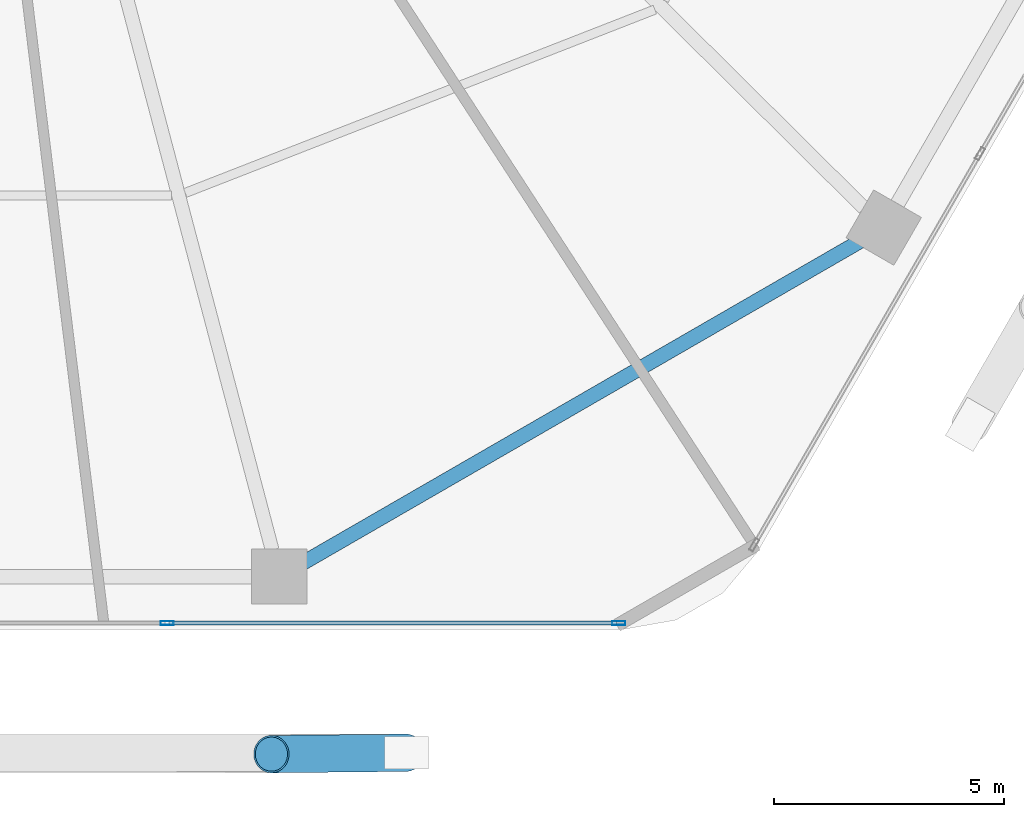
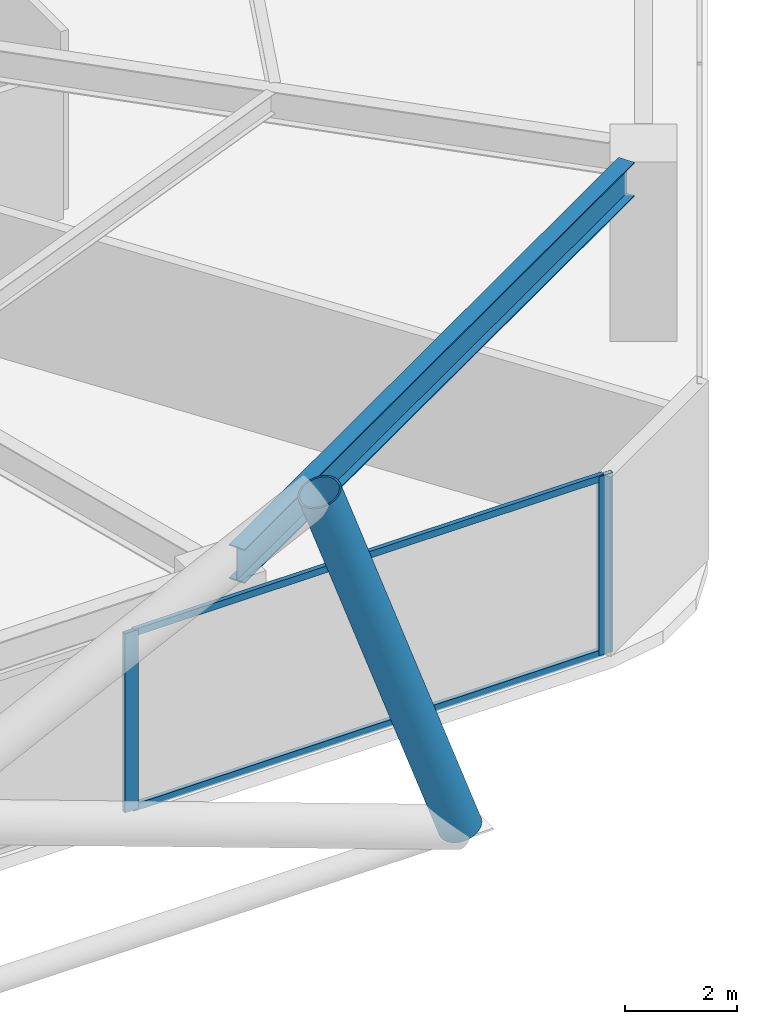
# One storey, part 7 of 28: 5 members, 1 beam, 1 element without a shape of its own.
"""IFC4 building model written with IfcOpenShell, lengths in metres."""

from ifc_helpers import new_model, si_unit, direction, frame, origin, origin_2d, place, context, subcontext, project, spatial, hollow_rectangle, hollow_circle, i_section, extrude, material, material_profile, profile_set, type_object, element, aggregate, save


model = new_model("IFC4")

# Units and contexts
model_context = context("Model", 3, precision=1e-05, world=origin(), true_north=direction((0.0, 1.0)))
body_context = subcontext(model_context, "Body", "Model", "MODEL_VIEW")
ifc_project = project(units=[si_unit("LENGTHUNIT", "METRE"), si_unit("AREAUNIT", "SQUARE_METRE"), si_unit("VOLUMEUNIT", "CUBIC_METRE"), si_unit("PLANEANGLEUNIT", "RADIAN"), si_unit("MASSUNIT", "GRAM", prefix="KILO")], contexts=[model_context])

# Site, building, storey
site_placement = place(None, origin())
site = spatial("IfcSite", under=ifc_project, at=site_placement, CompositionType="ELEMENT")
building_placement = place(site_placement, origin())
building = spatial("IfcBuilding", under=site, at=building_placement, Name="Zuhravey Tower", CompositionType="ELEMENT")
storey_placement = place(building_placement, frame((0.0, 0.0, 24.60009765625)))
storey = spatial("IfcBuildingStorey", under=building, at=storey_placement, Name="L06", CompositionType="ELEMENT", Elevation=24.60009765625)

# Curtain wall, members
ifc_material_1 = material(Name="Thermally broken anodised aluminium", Category="aluminium")
curtain_wall_type = type_object("IfcCurtainWallType", Name="School Low-E Unitised Curtain Wall CW1", PredefinedType="NOTDEFINED", material=ifc_material_1)
curtain_wall_placement = place(storey_placement, origin())
curtain_wall = element("IfcCurtainWall", 1, at=curtain_wall_placement, inside=storey, type_object=curtain_wall_type, Name="L06 CW1 CW-L06-F5-1", PredefinedType="NOTDEFINED")
ifc_material_2 = material(Name="Anodised aluminium", Category="aluminium")
ifc_material_profile_1 = material_profile(ifc_material_2, hollow_rectangle(XDim=0.090087890625, YDim=0.284912109375, WallThickness=0.0048828125, at=origin_2d()), Name="ALU-RHS-90x285x5")
ifc_profile_set_1 = profile_set([ifc_material_profile_1], Name="Anodised aluminium")
member_type_1 = type_object("IfcMemberType", Name="Curtain-Wall Mullion 90x180", PredefinedType="MULLION", material=ifc_profile_set_1)
member_1_placement = place(storey_placement, frame((50.75439453125, 3.04150390625, 0.0), z_axis=(0.0, 0.0, 1.0), x_axis=(0.0, -1.0, 0.0)))
member_1 = element("IfcMember", 2, at=member_1_placement, type_object=member_type_1, Name="CW1 mullion 1", PredefinedType="MULLION", context=body_context, shape_type="SweptSolid", body=[
    extrude(hollow_rectangle(XDim=0.090087890625, YDim=0.284912109375, WallThickness=0.0048828125, at=origin_2d()), origin(), (0.0, 0.0, 1.0), 3.919921875),
])
member_2_placement = place(storey_placement, frame((40.93310546875, 3.04150390625, 0.0), z_axis=(0.0, 0.0, 1.0), x_axis=(0.0, -1.0, 0.0)))
member_2 = element("IfcMember", 3, at=member_2_placement, type_object=member_type_1, Name="CW1 mullion 2", PredefinedType="MULLION", context=body_context, shape_type="SweptSolid", body=[
    extrude(hollow_rectangle(XDim=0.090087890625, YDim=0.284912109375, WallThickness=0.0048828125, at=origin_2d()), origin(), (0.0, 0.0, 1.0), 3.919921875),
])
ifc_material_profile_2 = material_profile(ifc_material_2, hollow_rectangle(XDim=0.090087890625, YDim=0.14990234375, WallThickness=0.0048828125, at=origin_2d()), Name="ALU-RHS-90x150x5")
ifc_profile_set_2 = profile_set([ifc_material_profile_2], Name="Anodised aluminium")
member_type_2 = type_object("IfcMemberType", Name="Curtain-Wall Transom 90x150", PredefinedType="USERDEFINED", material=ifc_profile_set_2)
member_3_placement = place(storey_placement, frame((50.70947265625, 3.04150390625, 0.044921875), z_axis=(-1.0, 0.0, 0.0), x_axis=(0.0, -1.0, 0.0)))
member_3 = element("IfcMember", 4, at=member_3_placement, type_object=member_type_2, Name="CW1 transom 1.1", ObjectType="TRANSOM", PredefinedType="USERDEFINED", context=body_context, shape_type="SweptSolid", body=[
    extrude(hollow_rectangle(XDim=0.090087890625, YDim=0.14990234375, WallThickness=0.0048828125, at=origin_2d()), origin(), (0.0, 0.0, 1.0), 9.731201171875),
])
member_4_placement = place(storey_placement, frame((50.70947265625, 3.04150390625, 3.875), z_axis=(-1.0, 0.0, 0.0), x_axis=(0.0, -1.0, 0.0)))
member_4 = element("IfcMember", 5, at=member_4_placement, type_object=member_type_2, Name="CW1 transom 1.2", ObjectType="TRANSOM", PredefinedType="USERDEFINED", context=body_context, shape_type="SweptSolid", body=[
    extrude(hollow_rectangle(XDim=0.090087890625, YDim=0.14990234375, WallThickness=0.0048828125, at=origin_2d()), origin(), (0.0, 0.0, 1.0), 9.731201171875),
])
aggregate(curtain_wall, [member_1, member_2, member_3, member_4])

# Member
ifc_material_3 = material(Name="Steel SM460", Category="steel")
ifc_material_profile_3 = material_profile(ifc_material_3, hollow_circle(Radius=0.406494140625, WallThickness=0.035888671875, at=origin_2d()), Name="CHS-812.8x36")
ifc_profile_set_3 = profile_set([ifc_material_profile_3], Name="Steel SM460")
member_type_3 = type_object("IfcMemberType", Name="Exoskeleton Zone 1 Diagrid CHS813x36", PredefinedType="BRACE", material=ifc_profile_set_3)
member_5_placement = place(storey_placement, frame((46.129150390625, 0.221435546875, -0.47216796875), z_axis=(-0.330640861788, -0.003364038457, 0.943750657622), x_axis=(0.010173770828, -0.999948245854, 0.0)))
element("IfcMember", 6, at=member_5_placement, inside=storey, type_object=member_type_3, Name="L06 Face 5 Diagrid Brace 4", PredefinedType="BRACE", context=body_context, shape_type="SweptSolid", body=[
    extrude(hollow_circle(Radius=0.406494140625, WallThickness=0.035888671875, at=origin_2d()), origin(), (0.0, 0.0, 1.0), 8.85400390625),
])

# Beam
ifc_material_4 = material(Name="Steel SM355", Category="steel")
ifc_material_profile_4 = material_profile(ifc_material_4, i_section(OverallWidth=0.320068359375, OverallDepth=0.75, WebThickness=0.013916015625, FlangeThickness=0.02490234375, at=origin_2d()), Name="H-750x320x14x25")
ifc_profile_set_4 = profile_set([ifc_material_profile_4], Name="Steel SM355")
beam_type = type_object("IfcBeamType", Name="Perimeter Ring Beam H750x320", PredefinedType="BEAM", material=ifc_profile_set_4)
beam_placement = place(storey_placement, frame((43.89208984375, 4.35302734375, 3.544921875), z_axis=(0.866029969761, 0.499992091414, 0.0), x_axis=(-0.499992091414, 0.866029969761, 0.0)))
element("IfcBeam", 7, at=beam_placement, inside=storey, type_object=beam_type, Name="L06 PB1 BM-L06-PB-10", PredefinedType="BEAM", context=body_context, shape_type="SweptSolid", body=[
    extrude(i_section(OverallWidth=0.320068359375, OverallDepth=0.75, WebThickness=0.013916015625, FlangeThickness=0.02490234375, at=origin_2d()), origin(), (0.0, 0.0, 1.0), 13.977294921875),
])

save(model, "model.ifc")
